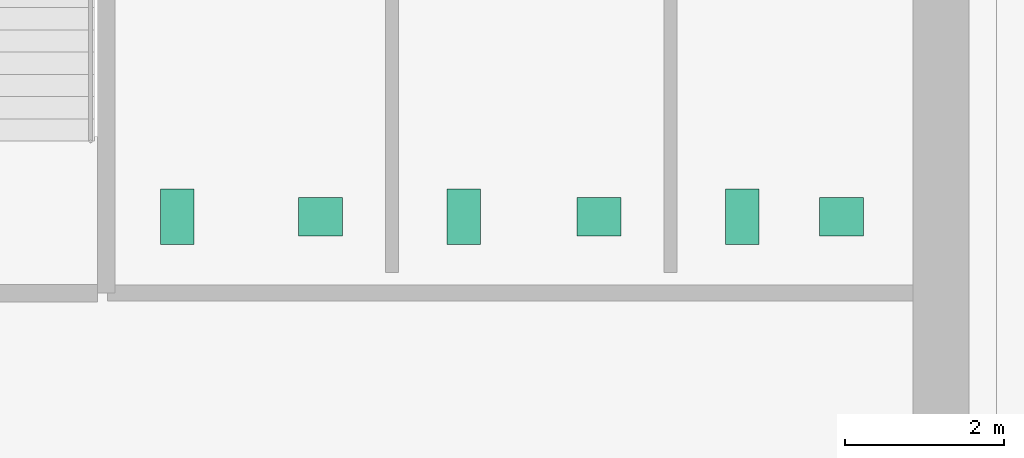
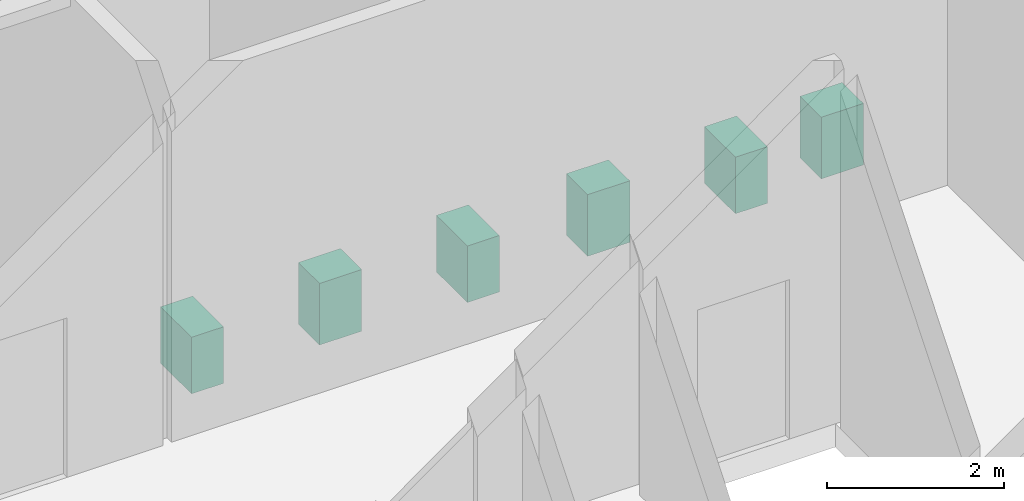
# One storey, part 18 of 18: 6 sanitary terminals.
"""IFC4 building model written with IfcOpenShell, lengths in metres."""

from ifc_helpers import new_model, si_unit, direction, frame, origin, origin_2d, place, context, subcontext, project, spatial, rectangle, extrude, material, type_object, element, save


model = new_model("IFC4")

# Units and contexts
model_context = context("Model", 3, precision=1e-05, world=origin(), true_north=direction((0.0, 1.0)))
body_context = subcontext(model_context, "Body", "Model", "MODEL_VIEW")
ifc_project = project(units=[si_unit("LENGTHUNIT", "METRE"), si_unit("AREAUNIT", "SQUARE_METRE"), si_unit("VOLUMEUNIT", "CUBIC_METRE"), si_unit("PLANEANGLEUNIT", "RADIAN"), si_unit("MASSUNIT", "GRAM", prefix="KILO")], contexts=[model_context])

# Site, building, storey
site_placement = place(None, origin())
site = spatial("IfcSite", under=ifc_project, at=site_placement, CompositionType="ELEMENT")
building_placement = place(site_placement, origin())
building = spatial("IfcBuilding", under=site, at=building_placement, Name="Norrvale University Quadrangle", CompositionType="ELEMENT")
storey_placement = place(building_placement, frame((0.0, 0.0, 150.800048828125)))
storey = spatial("IfcBuildingStorey", under=building, at=storey_placement, Name="L38", CompositionType="ELEMENT", Elevation=150.800048828125)

# Sanitary terminals
ifc_material = material(Name="Vitreous China Sanitaryware")
sanitary_terminal_type_1 = type_object("IfcSanitaryTerminalType", Name="Sanitary Wash Basin", PredefinedType="WASHHANDBASIN", material=ifc_material)
for number, where, z_axis, x_axis, name in (
    (1, (9.0, 41.10009765625, 0.0), (0.0, 0.0, 1.0), (1.0, 0.0, 0.0), "Accessible Countertop Washbasin L38-1"),
    (2, (12.5, 41.10009765625, 0.0), (0.0, 0.0, 1.0), (1.0, 0.0, 0.0), "Accessible Countertop Washbasin L38-2"),
    (3, (15.550048828125, 41.10009765625, 0.0), (0.0, 0.0, 1.0), (1.0, 0.0, 0.0), "Accessible Countertop Washbasin L38-3"),
):
    element("IfcSanitaryTerminal", number, at=place(storey_placement, frame(where, z_axis=z_axis, x_axis=x_axis)), inside=storey, type_object=sanitary_terminal_type_1, Name=name, PredefinedType="WASHHANDBASIN", context=body_context, shape_type="SweptSolid", body=[
        extrude(rectangle(XDim=0.550048828125, YDim=0.47998046875, at=origin_2d()), origin(), (0.0, 0.0, 1.0), 0.85009765625),
    ])
sanitary_terminal_type_2 = type_object("IfcSanitaryTerminalType", Name="Sanitary Water Closet", PredefinedType="TOILETPAN", material=ifc_material)
for number, where, z_axis, x_axis, name in (
    (4, (7.199951171875, 41.10009765625, 0.0), (0.0, 0.0, 1.0), (1.0, 0.0, 0.0), "Wall-Hung Water Closet L38-1"),
    (5, (10.800048828125, 41.10009765625, 0.0), (0.0, 0.0, 1.0), (1.0, 0.0, 0.0), "Wall-Hung Water Closet L38-2"),
    (6, (14.300048828125, 41.10009765625, 0.0), (0.0, 0.0, 1.0), (1.0, 0.0, 0.0), "Wall-Hung Water Closet L38-3"),
):
    element("IfcSanitaryTerminal", number, at=place(storey_placement, frame(where, z_axis=z_axis, x_axis=x_axis)), inside=storey, type_object=sanitary_terminal_type_2, Name=name, PredefinedType="TOILETPAN", context=body_context, shape_type="SweptSolid", body=[
        extrude(rectangle(XDim=0.419921875, YDim=0.699951171875, at=origin_2d()), origin(), (0.0, 0.0, 1.0), 0.780029296875),
    ])

save(model, "model.ifc")
